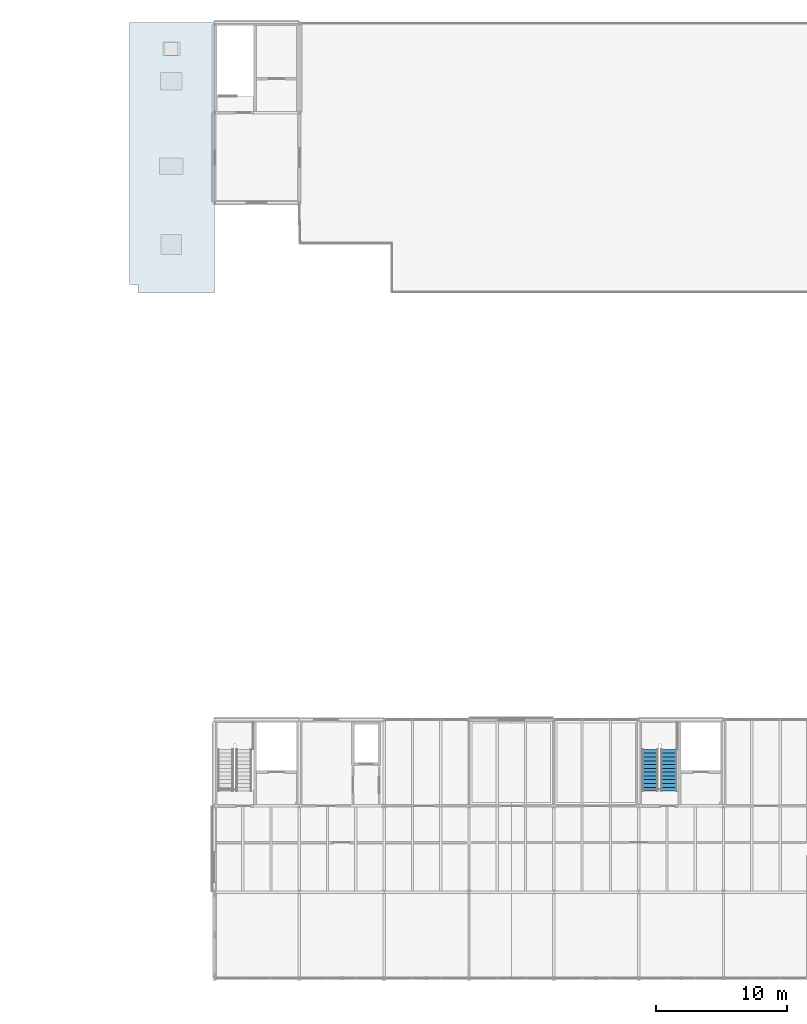
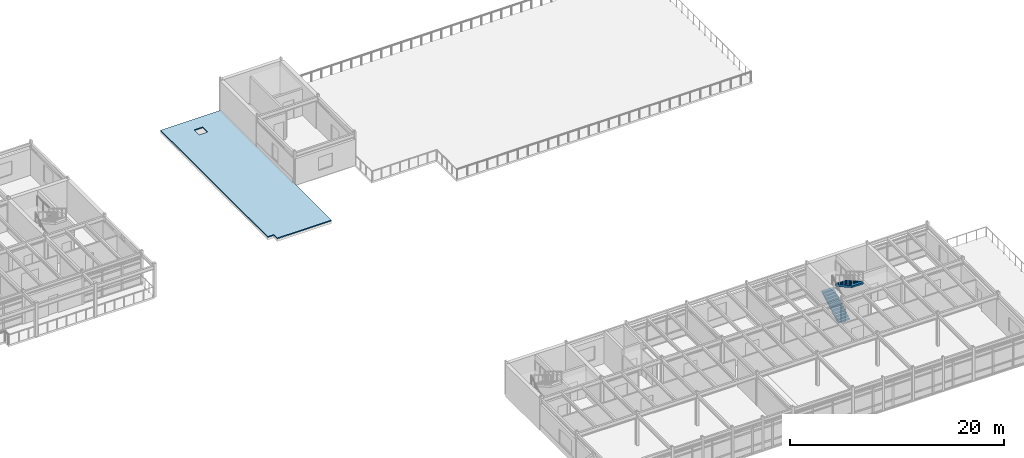
# One storey, part 22 of 26: 2 stair flights, 1 roof, 1 element without a shape of its own.
"""IFC4 building model written with IfcOpenShell, lengths in metres."""

from ifc_helpers import new_model, si_unit, direction, frame, origin, place, context, subcontext, project, spatial, polyline, outline, extrude, material, layer, layer_set, type_object, element, aggregate, save


model = new_model("IFC4")

# Units and contexts
model_context = context("Model", 3, precision=1e-05, world=origin(), true_north=direction((0.0, 1.0)))
body_context = subcontext(model_context, "Body", "Model", "MODEL_VIEW")
ifc_project = project(units=[si_unit("LENGTHUNIT", "METRE"), si_unit("AREAUNIT", "SQUARE_METRE"), si_unit("VOLUMEUNIT", "CUBIC_METRE"), si_unit("PLANEANGLEUNIT", "RADIAN"), si_unit("MASSUNIT", "GRAM", prefix="KILO")], contexts=[model_context])

# Site, building, storey
site_placement = place(None, origin())
site = spatial("IfcSite", under=ifc_project, at=site_placement, CompositionType="ELEMENT")
building_placement = place(site_placement, origin())
building = spatial("IfcBuilding", under=site, at=building_placement, Name="Trelmorton Wharf Fire Station", CompositionType="ELEMENT")
storey_placement = place(building_placement, frame((0.0, 0.0, 17.39990234375)))
storey = spatial("IfcBuildingStorey", under=building, at=storey_placement, Name="L04", CompositionType="ELEMENT", Elevation=17.39990234375)

# Stair, stair flights
ifc_material_1 = material(Name="Precast concrete 45 MPa", Category="concrete")
stair_type = type_object("IfcStairType", Name="ST_DOG_390", PredefinedType="HALF_TURN_STAIR", material=ifc_material_1)
stair_placement = place(storey_placement, origin())
stair = element("IfcStair", 1, at=stair_placement, inside=storey, type_object=stair_type, Name="Escape Stair ST5-L04", PredefinedType="HALF_TURN_STAIR")
ifc_layer_1 = layer(ifc_material_1, 0.159912109375)
ifc_layer_set_1 = layer_set([ifc_layer_1], Name="Precast concrete 45 MPa")
stair_flight_type = type_object("IfcStairFlightType", Name="SF_PRE_124", PredefinedType="STRAIGHT", material=ifc_layer_set_1)
stair_flight_1_placement = place(storey_placement, frame((143.8798828125, 22.139892578125, 0.0), z_axis=(0.0, 0.0, 1.0), x_axis=(0.0, 1.0, 0.0)))
stair_flight_1 = element("IfcStairFlight", 2, at=stair_flight_1_placement, type_object=stair_flight_type, Name="ST5-L04 flight 1", NumberOfRisers=12, NumberOfTreads=11, PredefinedType="STRAIGHT", RiserHeight=0.1625, TreadLength=0.29, context=body_context, shape_type="SweptSolid", body=[
    extrude(outline(polyline([(0.0, 0.0), (0.0, 0.16259765625), (0.2900390625, 0.16259765625), (0.2900390625, 0.324951171875), (0.580078125, 0.324951171875), (0.580078125, 0.487548828125), (0.8701171875, 0.487548828125), (0.8701171875, 0.64990234375), (1.159912109375, 0.64990234375), (1.159912109375, 0.8125), (1.449951171875, 0.8125), (1.449951171875, 0.97509765625), (1.739990234375, 0.97509765625), (1.739990234375, 1.137451171875), (2.030029296875, 1.137451171875), (2.030029296875, 1.300048828125), (2.320068359375, 1.300048828125), (2.320068359375, 1.46240234375), (2.610107421875, 1.46240234375), (2.610107421875, 1.625), (2.89990234375, 1.625), (2.89990234375, 1.78759765625), (3.18994140625, 1.78759765625), (3.18994140625, 1.949951171875), (3.18994140625, 1.604248046875), (0.3271484375, 0.0), (0.0, 0.0)])), frame((0.0, 0.6201171875, 0.0), z_axis=(0.0, -1.0, 0.0), x_axis=(1.0, 0.0, 0.0)), (0.0, 0.0, 1.0), 1.239990234375),
])
stair_flight_2_placement = place(storey_placement, frame((145.320068359375, 25.330078125, 1.9501953125), z_axis=(0.0, 0.0, 1.0), x_axis=(0.0, -1.0, 0.0)))
stair_flight_2 = element("IfcStairFlight", 3, at=stair_flight_2_placement, type_object=stair_flight_type, Name="ST5-L04 flight 2", NumberOfRisers=12, NumberOfTreads=11, PredefinedType="STRAIGHT", RiserHeight=0.1625, TreadLength=0.29, context=body_context, shape_type="SweptSolid", body=[
    extrude(outline(polyline([(0.0, 0.0), (0.0, 0.16259765625), (0.2900390625, 0.16259765625), (0.2900390625, 0.324951171875), (0.580078125, 0.324951171875), (0.580078125, 0.487548828125), (0.8701171875, 0.487548828125), (0.8701171875, 0.64990234375), (1.159912109375, 0.64990234375), (1.159912109375, 0.8125), (1.449951171875, 0.8125), (1.449951171875, 0.97509765625), (1.739990234375, 0.97509765625), (1.739990234375, 1.137451171875), (2.030029296875, 1.137451171875), (2.030029296875, 1.300048828125), (2.320068359375, 1.300048828125), (2.320068359375, 1.46240234375), (2.610107421875, 1.46240234375), (2.610107421875, 1.625), (2.89990234375, 1.625), (2.89990234375, 1.78759765625), (3.18994140625, 1.78759765625), (3.18994140625, 1.949951171875), (3.18994140625, 1.604248046875), (0.3271484375, 0.0), (0.0, 0.0)])), frame((0.0, 0.6201171875, 0.0), z_axis=(0.0, -1.0, 0.0), x_axis=(1.0, 0.0, 0.0)), (0.0, 0.0, 1.0), 1.239990234375),
])
aggregate(stair, [stair_flight_1, stair_flight_2])

# Roof
ifc_material_2 = material(Name="Planted roof substrate and sedum")
ifc_layer_2 = layer(ifc_material_2, 0.1201171875)
ifc_layer_set_2 = layer_set([ifc_layer_2], Name="Planted roof substrate and sedum")
roof_type = type_object("IfcRoofType", Name="RF_PLANTED_DECK", PredefinedType="FLAT_ROOF", material=ifc_layer_set_2)
roof_placement = place(storey_placement, origin())
element("IfcRoof", 4, at=roof_placement, inside=storey, type_object=roof_type, Name="RF-FLAT-V4-TOP", PredefinedType="FLAT_ROOF", context=body_context, shape_type="SweptSolid", body=[
    extrude(outline(polyline([(110.5, 81.0), (110.5, 60.300048828125), (104.64990234375, 60.300048828125), (104.64990234375, 60.949951171875), (104.0, 60.949951171875), (104.0, 81.0), (110.5, 81.0)]), holes=[polyline([(107.675048828125, 79.47509765625), (106.72509765625, 79.47509765625), (106.72509765625, 78.52490234375), (107.675048828125, 78.52490234375), (107.675048828125, 79.47509765625)])]), origin(), (0.0, 0.0, 1.0), 0.1201171875),
])

save(model, "model.ifc")
